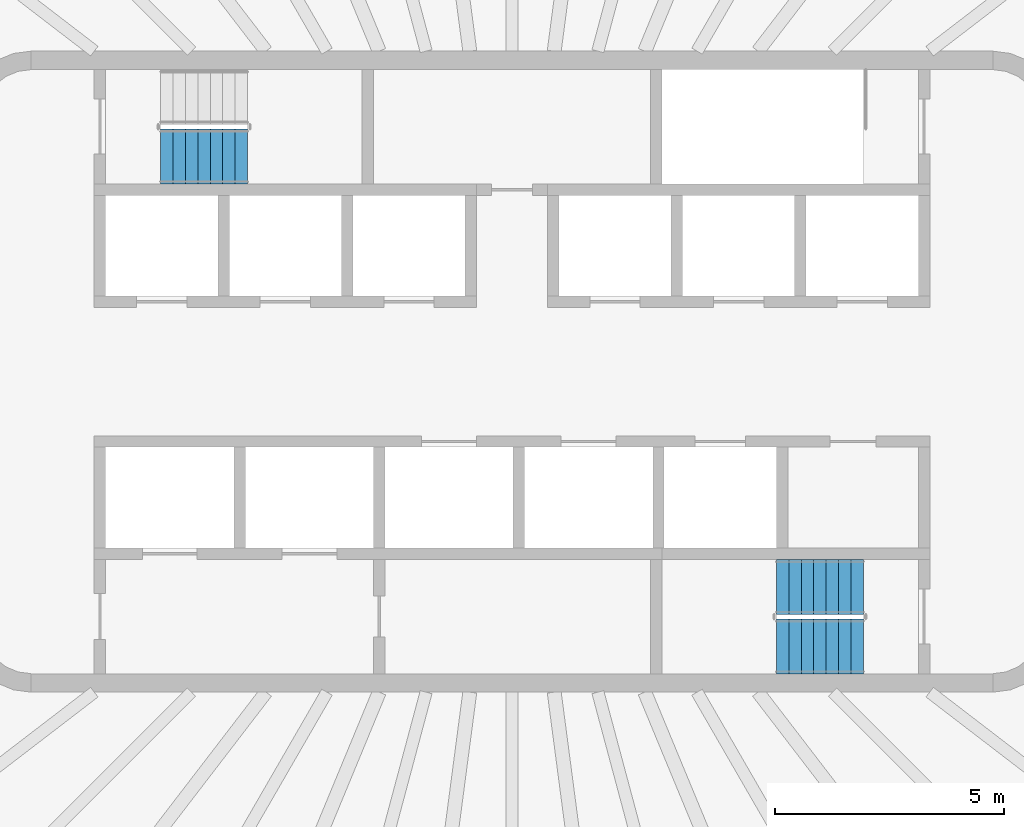
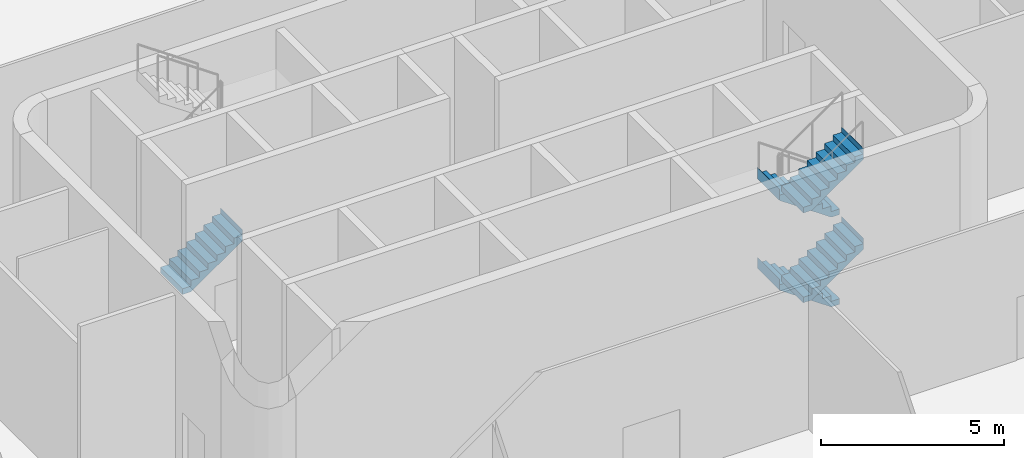
# One storey, part 9 of 14: 5 stair flights, 2 elements without a shape of their own.
"""IFC4 building model written with IfcOpenShell, lengths in metres."""

import ifcopenshell
import ifcopenshell.guid

model = None  # the IFC model being written
_history = None  # IfcOwnerHistory: only IFC2X3 demands one
_inside = {}  # id of a spatial element -> (the spatial element, [elements in it])
_under = {}  # id of a project, library or spatial element -> (it, [spatial elements below it])
_declared = {}  # id of a project -> (the project, [libraries it declares])
_typed = {}  # id of a type object -> (the type object, [elements of that type])
_made_of = {}  # id of a material, layer set ... -> (it, [elements and type objects made of it])


def new_model(schema):
    """Start an empty IFC model of exactly this schema.

    Asked for "IFC4X3", IfcOpenShell would pick the latest addendum, in which some entities
    have other attributes; the version numbers below select the first issue.
    IFC2X3 requires an IfcOwnerHistory on every rooted entity: one is made here for all.
    """
    global model, _history
    if schema == "IFC4X3":
        model = ifcopenshell.file(schema_version=(4, 3, 0, 0))
    else:
        model = ifcopenshell.file(schema=schema)
    _inside.clear()
    _under.clear()
    _declared.clear()
    _typed.clear()
    _made_of.clear()
    _history = None
    if model.schema == "IFC2X3":
        org = make("IfcOrganization", Name="unknown")
        user = make(
            "IfcPersonAndOrganization",
            ThePerson=make("IfcPerson", FamilyName="unknown"),
            TheOrganization=org,
        )
        app = make(
            "IfcApplication",
            ApplicationDeveloper=org,
            Version="unknown",
            ApplicationFullName="unknown",
            ApplicationIdentifier="unknown",
        )
        _history = make(
            "IfcOwnerHistory",
            OwningUser=user,
            OwningApplication=app,
            ChangeAction="ADDED",
            CreationDate=0,
        )
    return model


def make(cls, **values):
    """One entity of the class cls with the attributes given. An attribute that is None is left unset."""
    return model.create_entity(
        cls, **{name: value for name, value in values.items() if value is not None}
    )


def rooted(cls, **values):
    """An entity with a GlobalId (a new one), such as an element, a storey or a relation."""
    return make(cls, GlobalId=ifcopenshell.guid.new(), OwnerHistory=_history, **values)


def si_unit(unit_type, name, prefix=None):
    """IfcSIUnit, for example si_unit("LENGTHUNIT", "METRE", prefix="MILLI")."""
    return make("IfcSIUnit", UnitType=unit_type, Prefix=prefix, Name=name)


def assignment(units):
    """IfcUnitAssignment: the units of a project."""
    return None if units is None else make("IfcUnitAssignment", Units=units)


def point(xyz):
    """IfcCartesianPoint."""
    return None if xyz is None else make("IfcCartesianPoint", Coordinates=xyz)


def direction(xyz):
    """IfcDirection."""
    return None if xyz is None else make("IfcDirection", DirectionRatios=xyz)


def frame(location, z_axis=None, x_axis=None):
    """IfcAxis2Placement3D, a coordinate frame: its origin and axes. An axis left out is left unset."""
    return make(
        "IfcAxis2Placement3D",
        Location=point(location),
        Axis=direction(z_axis),
        RefDirection=direction(x_axis),
    )


def origin():
    """The frame at (0, 0, 0) with its axes left unset."""
    return frame((0.0, 0.0, 0.0))


def place(relative_to, where):
    """IfcLocalPlacement: puts the frame where relative to a parent placement (None: the world)."""
    return make(
        "IfcLocalPlacement", PlacementRelTo=relative_to, RelativePlacement=where
    )


def context(
    kind, dimensions, precision=None, world=None, true_north=None, identifier=None
):
    """IfcGeometricRepresentationContext, for example the 3D "Model" context."""
    return make(
        "IfcGeometricRepresentationContext",
        ContextIdentifier=identifier,
        ContextType=kind,
        CoordinateSpaceDimension=dimensions,
        Precision=precision,
        WorldCoordinateSystem=world,
        TrueNorth=true_north,
    )


def subcontext(parent, identifier, kind, view, scale=None):
    """IfcGeometricRepresentationSubContext, for example "Body" below "Model"."""
    return make(
        "IfcGeometricRepresentationSubContext",
        ContextIdentifier=identifier,
        ContextType=kind,
        ParentContext=parent,
        TargetScale=scale,
        TargetView=view,
    )


def project(units=None, contexts=None):
    """IfcProject with its units and contexts."""
    return rooted(
        "IfcProject",
        Name="project",
        RepresentationContexts=contexts,
        UnitsInContext=assignment(units),
    )


def spatial(cls, under=None, at=None, **own):
    """A site, building, storey or space (cls), placed at a placement, below another one or the project."""
    s = rooted(cls, ObjectPlacement=at, **own)
    if under is not None:
        _under.setdefault(under.id(), (under, []))[1].append(s)
    return s


def point_list(points):
    """IfcCartesianPointList2D or 3D."""
    cls = (
        "IfcCartesianPointList2D" if len(points[0]) == 2 else "IfcCartesianPointList3D"
    )
    return make(cls, CoordList=points)


def triangles(points, corners, closed=None, point_numbers=None):
    """IfcTriangulatedFaceSet: each triangle names its three corners, points numbered from 1."""
    return make(
        "IfcTriangulatedFaceSet",
        Coordinates=point_list(points),
        Closed=closed,
        CoordIndex=corners,
        PnIndex=point_numbers,
    )


def shape(context_of_items, identifier, shape_type, items):
    """IfcShapeRepresentation: the items that make up one representation, for example the "Body"."""
    return make(
        "IfcShapeRepresentation",
        ContextOfItems=context_of_items,
        RepresentationIdentifier=identifier,
        RepresentationType=shape_type,
        Items=items,
    )


def material(Name=None, Category=None):
    """IfcMaterial."""
    return make("IfcMaterial", Name=Name, Category=Category)


def made_of(thing, what):
    """Note that an element or type object is made of a material, layer set ...; save() writes the relation."""
    if what is not None:
        _made_of.setdefault(what.id(), (what, []))[1].append(thing)
    return thing


def type_object(cls, material=None, **own):
    """A type object (cls), such as IfcWallType, which elements share."""
    return made_of(rooted(cls, **own), material)


def element(
    cls,
    number,
    at=None,
    inside=None,
    cuts=None,
    type_object=None,
    material=None,
    context=None,
    identifier="Body",
    shape_type=None,
    held_by="IfcProductDefinitionShape",
    body=None,
    shapes=None,
    **own,
):
    """One element of the class cls, such as IfcWall. Its Tag is "e" and its number.

    at: its placement. inside: the storey or other place that contains it. cuts: it is an
    opening in that element (IfcRelVoidsElement). A single representation is given by context,
    identifier, shape_type and body (its items); several are given by shapes. held_by: the class
    of the entity that holds the representations. save() writes the other relations.
    """
    e = rooted(cls, Tag="e%d" % number, ObjectPlacement=at, **own)
    if body is not None:
        shapes = [shape(context, identifier, shape_type, body)]
    if shapes is not None:
        e.Representation = make(held_by, Representations=shapes)
    if inside is not None:
        _inside.setdefault(inside.id(), (inside, []))[1].append(e)
    if cuts is not None:
        rooted(
            "IfcRelVoidsElement", RelatingBuildingElement=cuts, RelatedOpeningElement=e
        )
    if type_object is not None:
        _typed.setdefault(type_object.id(), (type_object, []))[1].append(e)
    return made_of(e, material)


def aggregate(whole, parts):
    """IfcRelAggregates: a whole, such as a stair, and the parts it consists of."""
    return rooted("IfcRelAggregates", RelatingObject=whole, RelatedObjects=parts)


def save(model, path):
    """Write the relations noted so far, then the file.

    IfcRelAggregates (storeys below a building ...), IfcRelContainedInSpatialStructure (elements
    in a storey), IfcRelDefinesByType, IfcRelAssociatesMaterial and IfcRelDeclares: one each for
    every whole, place, type object, material and project.
    """
    for whole, parts in _under.values():
        aggregate(whole, parts)
    for where, things in _inside.values():
        rooted(
            "IfcRelContainedInSpatialStructure",
            RelatedElements=things,
            RelatingStructure=where,
        )
    for kind, things in _typed.values():
        rooted("IfcRelDefinesByType", RelatedObjects=things, RelatingType=kind)
    for what, things in _made_of.values():
        rooted("IfcRelAssociatesMaterial", RelatedObjects=things, RelatingMaterial=what)
    for by, libraries in _declared.values():
        rooted("IfcRelDeclares", RelatingContext=by, RelatedDefinitions=libraries)
    model.write(path)


model = new_model("IFC4")

# Units and contexts
model_context = context("Model", 3, precision=1e-05, world=origin(), true_north=direction((0.0, 1.0)))
body_context = subcontext(model_context, "Body", "Model", "MODEL_VIEW")
ifc_project = project(units=[si_unit("LENGTHUNIT", "METRE"), si_unit("AREAUNIT", "SQUARE_METRE"), si_unit("VOLUMEUNIT", "CUBIC_METRE"), si_unit("PLANEANGLEUNIT", "RADIAN"), si_unit("MASSUNIT", "GRAM", prefix="KILO")], contexts=[model_context])

# Site, building, storey
site_placement = place(None, origin())
site = spatial("IfcSite", under=ifc_project, at=site_placement, CompositionType="ELEMENT")
building_placement = place(site_placement, origin())
building = spatial("IfcBuilding", under=site, at=building_placement, Name="Sahrelin Media Tower", CompositionType="ELEMENT")
storey_placement = place(building_placement, frame((0.0, 0.0, 329.800048828125)))
storey = spatial("IfcBuildingStorey", under=building, at=storey_placement, Name="L73", CompositionType="ELEMENT", Elevation=329.800048828125)

# Stair, stair flight
ifc_material = material(Name="Concrete C40/50", Category="concrete")
stair_type = type_object("IfcStairType", Name="Exit stair 1200", PredefinedType="HALF_TURN_STAIR", material=ifc_material)
placement = place(storey_placement, origin())
stair_1 = element("IfcStair", 1, at=placement, inside=storey, type_object=stair_type, Name="L73 Exit stair ST1", PredefinedType="HALF_TURN_STAIR")
stair_flight_type = type_object("IfcStairFlightType", Name="Stair flight 1200", PredefinedType="STRAIGHT", material=ifc_material)
stair_flight_1_placement = place(storey_placement, frame((-7.675048828125, 4.699951171875, 0.0), z_axis=(0.0, 0.0, 1.0), x_axis=(1.0, 0.0, 0.0)))
stair_flight_1 = element("IfcStairFlight", 2, at=stair_flight_1_placement, type_object=stair_flight_type, Name="ST1 flight 1", NumberOfRisers=8, NumberOfTreads=7, PredefinedType="STRAIGHT", RiserHeight=0.1875, TreadLength=0.271428571, context=body_context, shape_type="Tessellation", body=[
    triangles([(0.263671875, 0.60009765625, 0.0), (0.263671875, 0.300048828125, 0.0), (0.263671875, 0.0, 0.0), (0.263671875, -0.300048828125, 0.0), (0.263671875, -0.60009765625, 0.0), (1.89990234375, 0.60009765625, 1.13037109375), (1.89990234375, 0.300048828125, 1.13037109375), (1.89990234375, 0.0, 1.13037109375), (1.89990234375, -0.300048828125, 1.13037109375), (1.89990234375, -0.60009765625, 1.13037109375), (1.89990234375, 0.60009765625, 1.5), (1.89990234375, 0.300048828125, 1.5), (1.89990234375, 0.0, 1.5), (1.89990234375, -0.300048828125, 1.5), (1.89990234375, -0.60009765625, 1.5), (1.89794921875, 0.60009765625, 1.5), (1.89794921875, 0.300048828125, 1.5), (1.89794921875, 0.0, 1.5), (1.89794921875, -0.300048828125, 1.5), (1.89794921875, -0.60009765625, 1.5), (1.89794921875, 0.60009765625, 1.3125), (1.89794921875, 0.300048828125, 1.3125), (1.89794921875, 0.0, 1.3125), (1.89794921875, -0.300048828125, 1.3125), (1.89794921875, -0.60009765625, 1.3125), (1.628662109375, 0.60009765625, 1.3125), (1.628662109375, 0.300048828125, 1.3125), (1.628662109375, 0.0, 1.3125), (1.628662109375, -0.300048828125, 1.3125), (1.628662109375, -0.60009765625, 1.3125), (1.628662109375, 0.60009765625, 1.125), (1.628662109375, 0.300048828125, 1.125), (1.628662109375, 0.0, 1.125), (1.628662109375, -0.300048828125, 1.125), (1.628662109375, -0.60009765625, 1.125), (1.357177734375, 0.60009765625, 1.125), (1.357177734375, 0.300048828125, 1.125), (1.357177734375, 0.0, 1.125), (1.357177734375, -0.300048828125, 1.125), (1.357177734375, -0.60009765625, 1.125), (1.357177734375, 0.60009765625, 0.9375), (1.357177734375, 0.300048828125, 0.9375), (1.357177734375, 0.0, 0.9375), (1.357177734375, -0.300048828125, 0.9375), (1.357177734375, -0.60009765625, 0.9375), (1.085693359375, 0.60009765625, 0.9375), (1.085693359375, 0.300048828125, 0.9375), (1.085693359375, 0.0, 0.9375), (1.085693359375, -0.300048828125, 0.9375), (1.085693359375, -0.60009765625, 0.9375), (1.085693359375, 0.60009765625, 0.75), (1.085693359375, 0.300048828125, 0.75), (1.085693359375, 0.0, 0.75), (1.085693359375, -0.300048828125, 0.75), (1.085693359375, -0.60009765625, 0.75), (0.814208984375, 0.60009765625, 0.75), (0.814208984375, 0.300048828125, 0.75), (0.814208984375, 0.0, 0.75), (0.814208984375, -0.300048828125, 0.75), (0.814208984375, -0.60009765625, 0.75), (0.814208984375, 0.60009765625, 0.5625), (0.814208984375, 0.300048828125, 0.5625), (0.814208984375, 0.0, 0.5625), (0.814208984375, -0.300048828125, 0.5625), (0.814208984375, -0.60009765625, 0.5625), (0.54296875, 0.60009765625, 0.5625), (0.54296875, 0.300048828125, 0.5625), (0.54296875, 0.0, 0.5625), (0.54296875, -0.300048828125, 0.5625), (0.54296875, -0.60009765625, 0.5625), (0.54296875, 0.60009765625, 0.375), (0.54296875, 0.300048828125, 0.375), (0.54296875, 0.0, 0.375), (0.54296875, -0.300048828125, 0.375), (0.54296875, -0.60009765625, 0.375), (0.271484375, 0.60009765625, 0.375), (0.271484375, 0.300048828125, 0.375), (0.271484375, 0.0, 0.375), (0.271484375, -0.300048828125, 0.375), (0.271484375, -0.60009765625, 0.375), (0.271484375, 0.60009765625, 0.1875), (0.271484375, 0.300048828125, 0.1875), (0.271484375, 0.0, 0.1875), (0.271484375, -0.300048828125, 0.1875), (0.271484375, -0.60009765625, 0.1875), (0.0, 0.60009765625, 0.1875), (0.0, 0.300048828125, 0.1875), (0.0, 0.0, 0.1875), (0.0, -0.300048828125, 0.1875), (0.0, -0.60009765625, 0.1875), (0.0, 0.60009765625, 0.0), (0.0, 0.300048828125, 0.0), (0.0, 0.0, 0.0), (0.0, -0.300048828125, 0.0), (0.0, -0.60009765625, 0.0)], [[1, 6, 7], [1, 7, 2], [2, 7, 8], [2, 8, 3], [3, 8, 9], [3, 9, 4], [4, 9, 10], [4, 10, 5], [6, 11, 12], [6, 12, 7], [7, 12, 13], [7, 13, 8], [8, 13, 14], [8, 14, 9], [9, 14, 15], [9, 15, 10], [11, 16, 17], [11, 17, 12], [12, 17, 18], [12, 18, 13], [13, 18, 19], [13, 19, 14], [14, 19, 20], [14, 20, 15], [16, 21, 22], [16, 22, 17], [17, 22, 23], [17, 23, 18], [18, 23, 24], [18, 24, 19], [19, 24, 25], [19, 25, 20], [21, 26, 27], [21, 27, 22], [22, 27, 28], [22, 28, 23], [23, 28, 29], [23, 29, 24], [24, 29, 30], [24, 30, 25], [26, 31, 32], [26, 32, 27], [27, 32, 33], [27, 33, 28], [28, 33, 34], [28, 34, 29], [29, 34, 35], [29, 35, 30], [31, 36, 37], [31, 37, 32], [32, 37, 38], [32, 38, 33], [33, 38, 39], [33, 39, 34], [34, 39, 40], [34, 40, 35], [36, 41, 42], [36, 42, 37], [37, 42, 43], [37, 43, 38], [38, 43, 44], [38, 44, 39], [39, 44, 45], [39, 45, 40], [41, 46, 47], [41, 47, 42], [42, 47, 48], [42, 48, 43], [43, 48, 49], [43, 49, 44], [44, 49, 50], [44, 50, 45], [46, 51, 52], [46, 52, 47], [47, 52, 53], [47, 53, 48], [48, 53, 54], [48, 54, 49], [49, 54, 55], [49, 55, 50], [51, 56, 57], [51, 57, 52], [52, 57, 58], [52, 58, 53], [53, 58, 59], [53, 59, 54], [54, 59, 60], [54, 60, 55], [56, 61, 62], [56, 62, 57], [57, 62, 63], [57, 63, 58], [58, 63, 64], [58, 64, 59], [59, 64, 65], [59, 65, 60], [61, 66, 67], [61, 67, 62], [62, 67, 68], [62, 68, 63], [63, 68, 69], [63, 69, 64], [64, 69, 70], [64, 70, 65], [66, 71, 72], [66, 72, 67], [67, 72, 73], [67, 73, 68], [68, 73, 74], [68, 74, 69], [69, 74, 75], [69, 75, 70], [71, 76, 77], [71, 77, 72], [72, 77, 78], [72, 78, 73], [73, 78, 79], [73, 79, 74], [74, 79, 80], [74, 80, 75], [76, 81, 82], [76, 82, 77], [77, 82, 83], [77, 83, 78], [78, 83, 84], [78, 84, 79], [79, 84, 85], [79, 85, 80], [81, 86, 87], [81, 87, 82], [82, 87, 88], [82, 88, 83], [83, 88, 89], [83, 89, 84], [84, 89, 90], [84, 90, 85], [86, 91, 92], [86, 92, 87], [87, 92, 93], [87, 93, 88], [88, 93, 94], [88, 94, 89], [89, 94, 95], [89, 95, 90], [91, 1, 2], [91, 2, 92], [92, 2, 3], [92, 3, 93], [93, 3, 4], [93, 4, 94], [94, 4, 5], [94, 5, 95], [5, 90, 95], [1, 91, 86], [85, 75, 80], [81, 76, 71], [75, 65, 70], [71, 66, 61], [65, 55, 60], [61, 56, 51], [55, 45, 50], [51, 46, 41], [45, 35, 40], [41, 36, 31], [10, 25, 30], [6, 26, 21], [25, 15, 20], [21, 16, 11], [5, 85, 90], [1, 86, 81], [55, 65, 5], [51, 1, 61], [10, 35, 45], [6, 41, 31], [25, 10, 15], [21, 11, 6], [75, 85, 5], [71, 1, 81], [45, 55, 10], [41, 6, 51], [30, 35, 10], [26, 6, 31], [65, 75, 5], [61, 1, 71], [5, 10, 55], [1, 51, 6]], closed=True),
])
aggregate(stair_1, [stair_flight_1])

# Stair, stair flights
stair_2 = element("IfcStair", 3, at=placement, inside=storey, type_object=stair_type, Name="L73 Exit stair ST2", PredefinedType="HALF_TURN_STAIR")
stair_flight_2_placement = place(storey_placement, frame((7.675048828125, -4.699951171875, 0.0), z_axis=(0.0, 0.0, 1.0), x_axis=(-1.0, 0.0, 0.0)))
stair_flight_2 = element("IfcStairFlight", 4, at=stair_flight_2_placement, type_object=stair_flight_type, Name="ST2 flight 1", NumberOfRisers=8, NumberOfTreads=7, PredefinedType="STRAIGHT", RiserHeight=0.1875, TreadLength=0.271428571, context=body_context, shape_type="Tessellation", body=[
    triangles([(0.263671875, 0.60009765625, 0.0), (0.263671875, 0.300048828125, 0.0), (0.263671875, 0.0, 0.0), (0.263671875, -0.300048828125, 0.0), (0.263671875, -0.60009765625, 0.0), (1.89990234375, 0.60009765625, 1.13037109375), (1.89990234375, 0.300048828125, 1.13037109375), (1.89990234375, 0.0, 1.13037109375), (1.89990234375, -0.300048828125, 1.13037109375), (1.89990234375, -0.60009765625, 1.13037109375), (1.89990234375, 0.60009765625, 1.5), (1.89990234375, 0.300048828125, 1.5), (1.89990234375, 0.0, 1.5), (1.89990234375, -0.300048828125, 1.5), (1.89990234375, -0.60009765625, 1.5), (1.89794921875, 0.60009765625, 1.5), (1.89794921875, 0.300048828125, 1.5), (1.89794921875, 0.0, 1.5), (1.89794921875, -0.300048828125, 1.5), (1.89794921875, -0.60009765625, 1.5), (1.89794921875, 0.60009765625, 1.3125), (1.89794921875, 0.300048828125, 1.3125), (1.89794921875, 0.0, 1.3125), (1.89794921875, -0.300048828125, 1.3125), (1.89794921875, -0.60009765625, 1.3125), (1.628662109375, 0.60009765625, 1.3125), (1.628662109375, 0.300048828125, 1.3125), (1.628662109375, 0.0, 1.3125), (1.628662109375, -0.300048828125, 1.3125), (1.628662109375, -0.60009765625, 1.3125), (1.628662109375, 0.60009765625, 1.125), (1.628662109375, 0.300048828125, 1.125), (1.628662109375, 0.0, 1.125), (1.628662109375, -0.300048828125, 1.125), (1.628662109375, -0.60009765625, 1.125), (1.357177734375, 0.60009765625, 1.125), (1.357177734375, 0.300048828125, 1.125), (1.357177734375, 0.0, 1.125), (1.357177734375, -0.300048828125, 1.125), (1.357177734375, -0.60009765625, 1.125), (1.357177734375, 0.60009765625, 0.9375), (1.357177734375, 0.300048828125, 0.9375), (1.357177734375, 0.0, 0.9375), (1.357177734375, -0.300048828125, 0.9375), (1.357177734375, -0.60009765625, 0.9375), (1.085693359375, 0.60009765625, 0.9375), (1.085693359375, 0.300048828125, 0.9375), (1.085693359375, 0.0, 0.9375), (1.085693359375, -0.300048828125, 0.9375), (1.085693359375, -0.60009765625, 0.9375), (1.085693359375, 0.60009765625, 0.75), (1.085693359375, 0.300048828125, 0.75), (1.085693359375, 0.0, 0.75), (1.085693359375, -0.300048828125, 0.75), (1.085693359375, -0.60009765625, 0.75), (0.814208984375, 0.60009765625, 0.75), (0.814208984375, 0.300048828125, 0.75), (0.814208984375, 0.0, 0.75), (0.814208984375, -0.300048828125, 0.75), (0.814208984375, -0.60009765625, 0.75), (0.814208984375, 0.60009765625, 0.5625), (0.814208984375, 0.300048828125, 0.5625), (0.814208984375, 0.0, 0.5625), (0.814208984375, -0.300048828125, 0.5625), (0.814208984375, -0.60009765625, 0.5625), (0.54296875, 0.60009765625, 0.5625), (0.54296875, 0.300048828125, 0.5625), (0.54296875, 0.0, 0.5625), (0.54296875, -0.300048828125, 0.5625), (0.54296875, -0.60009765625, 0.5625), (0.54296875, 0.60009765625, 0.375), (0.54296875, 0.300048828125, 0.375), (0.54296875, 0.0, 0.375), (0.54296875, -0.300048828125, 0.375), (0.54296875, -0.60009765625, 0.375), (0.271484375, 0.60009765625, 0.375), (0.271484375, 0.300048828125, 0.375), (0.271484375, 0.0, 0.375), (0.271484375, -0.300048828125, 0.375), (0.271484375, -0.60009765625, 0.375), (0.271484375, 0.60009765625, 0.1875), (0.271484375, 0.300048828125, 0.1875), (0.271484375, 0.0, 0.1875), (0.271484375, -0.300048828125, 0.1875), (0.271484375, -0.60009765625, 0.1875), (0.0, 0.60009765625, 0.1875), (0.0, 0.300048828125, 0.1875), (0.0, 0.0, 0.1875), (0.0, -0.300048828125, 0.1875), (0.0, -0.60009765625, 0.1875), (0.0, 0.60009765625, 0.0), (0.0, 0.300048828125, 0.0), (0.0, 0.0, 0.0), (0.0, -0.300048828125, 0.0), (0.0, -0.60009765625, 0.0)], [[1, 6, 7], [1, 7, 2], [2, 7, 8], [2, 8, 3], [3, 8, 9], [3, 9, 4], [4, 9, 10], [4, 10, 5], [6, 11, 12], [6, 12, 7], [7, 12, 13], [7, 13, 8], [8, 13, 14], [8, 14, 9], [9, 14, 15], [9, 15, 10], [11, 16, 17], [11, 17, 12], [12, 17, 18], [12, 18, 13], [13, 18, 19], [13, 19, 14], [14, 19, 20], [14, 20, 15], [16, 21, 22], [16, 22, 17], [17, 22, 23], [17, 23, 18], [18, 23, 24], [18, 24, 19], [19, 24, 25], [19, 25, 20], [21, 26, 27], [21, 27, 22], [22, 27, 28], [22, 28, 23], [23, 28, 29], [23, 29, 24], [24, 29, 30], [24, 30, 25], [26, 31, 32], [26, 32, 27], [27, 32, 33], [27, 33, 28], [28, 33, 34], [28, 34, 29], [29, 34, 35], [29, 35, 30], [31, 36, 37], [31, 37, 32], [32, 37, 38], [32, 38, 33], [33, 38, 39], [33, 39, 34], [34, 39, 40], [34, 40, 35], [36, 41, 42], [36, 42, 37], [37, 42, 43], [37, 43, 38], [38, 43, 44], [38, 44, 39], [39, 44, 45], [39, 45, 40], [41, 46, 47], [41, 47, 42], [42, 47, 48], [42, 48, 43], [43, 48, 49], [43, 49, 44], [44, 49, 50], [44, 50, 45], [46, 51, 52], [46, 52, 47], [47, 52, 53], [47, 53, 48], [48, 53, 54], [48, 54, 49], [49, 54, 55], [49, 55, 50], [51, 56, 57], [51, 57, 52], [52, 57, 58], [52, 58, 53], [53, 58, 59], [53, 59, 54], [54, 59, 60], [54, 60, 55], [56, 61, 62], [56, 62, 57], [57, 62, 63], [57, 63, 58], [58, 63, 64], [58, 64, 59], [59, 64, 65], [59, 65, 60], [61, 66, 67], [61, 67, 62], [62, 67, 68], [62, 68, 63], [63, 68, 69], [63, 69, 64], [64, 69, 70], [64, 70, 65], [66, 71, 72], [66, 72, 67], [67, 72, 73], [67, 73, 68], [68, 73, 74], [68, 74, 69], [69, 74, 75], [69, 75, 70], [71, 76, 77], [71, 77, 72], [72, 77, 78], [72, 78, 73], [73, 78, 79], [73, 79, 74], [74, 79, 80], [74, 80, 75], [76, 81, 82], [76, 82, 77], [77, 82, 83], [77, 83, 78], [78, 83, 84], [78, 84, 79], [79, 84, 85], [79, 85, 80], [81, 86, 87], [81, 87, 82], [82, 87, 88], [82, 88, 83], [83, 88, 89], [83, 89, 84], [84, 89, 90], [84, 90, 85], [86, 91, 92], [86, 92, 87], [87, 92, 93], [87, 93, 88], [88, 93, 94], [88, 94, 89], [89, 94, 95], [89, 95, 90], [91, 1, 2], [91, 2, 92], [92, 2, 3], [92, 3, 93], [93, 3, 4], [93, 4, 94], [94, 4, 5], [94, 5, 95], [5, 90, 95], [1, 91, 86], [85, 75, 80], [81, 76, 71], [75, 65, 70], [71, 66, 61], [65, 55, 60], [61, 56, 51], [55, 45, 50], [51, 46, 41], [45, 35, 40], [41, 36, 31], [10, 25, 30], [6, 26, 21], [25, 15, 20], [21, 16, 11], [5, 85, 90], [1, 86, 81], [55, 65, 5], [51, 1, 61], [10, 35, 45], [6, 41, 31], [25, 10, 15], [21, 11, 6], [75, 85, 5], [71, 1, 81], [45, 55, 10], [41, 6, 51], [30, 35, 10], [26, 6, 31], [65, 75, 5], [61, 1, 71], [5, 10, 55], [1, 51, 6]], closed=True),
])
stair_flight_3_placement = place(storey_placement, frame((5.77490234375, -6.0, 1.5), z_axis=(0.0, 0.0, 1.0), x_axis=(1.0, 0.0, 0.0)))
stair_flight_3 = element("IfcStairFlight", 5, at=stair_flight_3_placement, type_object=stair_flight_type, Name="ST2 flight 2", NumberOfRisers=8, NumberOfTreads=7, PredefinedType="STRAIGHT", RiserHeight=0.1875, TreadLength=0.271428571, context=body_context, shape_type="Tessellation", body=[
    triangles([(0.263671875, 0.60009765625, 0.0), (0.263671875, 0.300048828125, 0.0), (0.263671875, 0.0, 0.0), (0.263671875, -0.300048828125, 0.0), (0.263671875, -0.60009765625, 0.0), (1.89990234375, 0.60009765625, 1.13037109375), (1.89990234375, 0.300048828125, 1.13037109375), (1.89990234375, 0.0, 1.13037109375), (1.89990234375, -0.300048828125, 1.13037109375), (1.89990234375, -0.60009765625, 1.13037109375), (1.89990234375, 0.60009765625, 1.5), (1.89990234375, 0.300048828125, 1.5), (1.89990234375, 0.0, 1.5), (1.89990234375, -0.300048828125, 1.5), (1.89990234375, -0.60009765625, 1.5), (1.89794921875, 0.60009765625, 1.5), (1.89794921875, 0.300048828125, 1.5), (1.89794921875, 0.0, 1.5), (1.89794921875, -0.300048828125, 1.5), (1.89794921875, -0.60009765625, 1.5), (1.89794921875, 0.60009765625, 1.3125), (1.89794921875, 0.300048828125, 1.3125), (1.89794921875, 0.0, 1.3125), (1.89794921875, -0.300048828125, 1.3125), (1.89794921875, -0.60009765625, 1.3125), (1.628662109375, 0.60009765625, 1.3125), (1.628662109375, 0.300048828125, 1.3125), (1.628662109375, 0.0, 1.3125), (1.628662109375, -0.300048828125, 1.3125), (1.628662109375, -0.60009765625, 1.3125), (1.628662109375, 0.60009765625, 1.125), (1.628662109375, 0.300048828125, 1.125), (1.628662109375, 0.0, 1.125), (1.628662109375, -0.300048828125, 1.125), (1.628662109375, -0.60009765625, 1.125), (1.357177734375, 0.60009765625, 1.125), (1.357177734375, 0.300048828125, 1.125), (1.357177734375, 0.0, 1.125), (1.357177734375, -0.300048828125, 1.125), (1.357177734375, -0.60009765625, 1.125), (1.357177734375, 0.60009765625, 0.9375), (1.357177734375, 0.300048828125, 0.9375), (1.357177734375, 0.0, 0.9375), (1.357177734375, -0.300048828125, 0.9375), (1.357177734375, -0.60009765625, 0.9375), (1.085693359375, 0.60009765625, 0.9375), (1.085693359375, 0.300048828125, 0.9375), (1.085693359375, 0.0, 0.9375), (1.085693359375, -0.300048828125, 0.9375), (1.085693359375, -0.60009765625, 0.9375), (1.085693359375, 0.60009765625, 0.75), (1.085693359375, 0.300048828125, 0.75), (1.085693359375, 0.0, 0.75), (1.085693359375, -0.300048828125, 0.75), (1.085693359375, -0.60009765625, 0.75), (0.814208984375, 0.60009765625, 0.75), (0.814208984375, 0.300048828125, 0.75), (0.814208984375, 0.0, 0.75), (0.814208984375, -0.300048828125, 0.75), (0.814208984375, -0.60009765625, 0.75), (0.814208984375, 0.60009765625, 0.5625), (0.814208984375, 0.300048828125, 0.5625), (0.814208984375, 0.0, 0.5625), (0.814208984375, -0.300048828125, 0.5625), (0.814208984375, -0.60009765625, 0.5625), (0.54296875, 0.60009765625, 0.5625), (0.54296875, 0.300048828125, 0.5625), (0.54296875, 0.0, 0.5625), (0.54296875, -0.300048828125, 0.5625), (0.54296875, -0.60009765625, 0.5625), (0.54296875, 0.60009765625, 0.375), (0.54296875, 0.300048828125, 0.375), (0.54296875, 0.0, 0.375), (0.54296875, -0.300048828125, 0.375), (0.54296875, -0.60009765625, 0.375), (0.271484375, 0.60009765625, 0.375), (0.271484375, 0.300048828125, 0.375), (0.271484375, 0.0, 0.375), (0.271484375, -0.300048828125, 0.375), (0.271484375, -0.60009765625, 0.375), (0.271484375, 0.60009765625, 0.1875), (0.271484375, 0.300048828125, 0.1875), (0.271484375, 0.0, 0.1875), (0.271484375, -0.300048828125, 0.1875), (0.271484375, -0.60009765625, 0.1875), (0.0, 0.60009765625, 0.1875), (0.0, 0.300048828125, 0.1875), (0.0, 0.0, 0.1875), (0.0, -0.300048828125, 0.1875), (0.0, -0.60009765625, 0.1875), (0.0, 0.60009765625, 0.0), (0.0, 0.300048828125, 0.0), (0.0, 0.0, 0.0), (0.0, -0.300048828125, 0.0), (0.0, -0.60009765625, 0.0)], [[1, 6, 7], [1, 7, 2], [2, 7, 8], [2, 8, 3], [3, 8, 9], [3, 9, 4], [4, 9, 10], [4, 10, 5], [6, 11, 12], [6, 12, 7], [7, 12, 13], [7, 13, 8], [8, 13, 14], [8, 14, 9], [9, 14, 15], [9, 15, 10], [11, 16, 17], [11, 17, 12], [12, 17, 18], [12, 18, 13], [13, 18, 19], [13, 19, 14], [14, 19, 20], [14, 20, 15], [16, 21, 22], [16, 22, 17], [17, 22, 23], [17, 23, 18], [18, 23, 24], [18, 24, 19], [19, 24, 25], [19, 25, 20], [21, 26, 27], [21, 27, 22], [22, 27, 28], [22, 28, 23], [23, 28, 29], [23, 29, 24], [24, 29, 30], [24, 30, 25], [26, 31, 32], [26, 32, 27], [27, 32, 33], [27, 33, 28], [28, 33, 34], [28, 34, 29], [29, 34, 35], [29, 35, 30], [31, 36, 37], [31, 37, 32], [32, 37, 38], [32, 38, 33], [33, 38, 39], [33, 39, 34], [34, 39, 40], [34, 40, 35], [36, 41, 42], [36, 42, 37], [37, 42, 43], [37, 43, 38], [38, 43, 44], [38, 44, 39], [39, 44, 45], [39, 45, 40], [41, 46, 47], [41, 47, 42], [42, 47, 48], [42, 48, 43], [43, 48, 49], [43, 49, 44], [44, 49, 50], [44, 50, 45], [46, 51, 52], [46, 52, 47], [47, 52, 53], [47, 53, 48], [48, 53, 54], [48, 54, 49], [49, 54, 55], [49, 55, 50], [51, 56, 57], [51, 57, 52], [52, 57, 58], [52, 58, 53], [53, 58, 59], [53, 59, 54], [54, 59, 60], [54, 60, 55], [56, 61, 62], [56, 62, 57], [57, 62, 63], [57, 63, 58], [58, 63, 64], [58, 64, 59], [59, 64, 65], [59, 65, 60], [61, 66, 67], [61, 67, 62], [62, 67, 68], [62, 68, 63], [63, 68, 69], [63, 69, 64], [64, 69, 70], [64, 70, 65], [66, 71, 72], [66, 72, 67], [67, 72, 73], [67, 73, 68], [68, 73, 74], [68, 74, 69], [69, 74, 75], [69, 75, 70], [71, 76, 77], [71, 77, 72], [72, 77, 78], [72, 78, 73], [73, 78, 79], [73, 79, 74], [74, 79, 80], [74, 80, 75], [76, 81, 82], [76, 82, 77], [77, 82, 83], [77, 83, 78], [78, 83, 84], [78, 84, 79], [79, 84, 85], [79, 85, 80], [81, 86, 87], [81, 87, 82], [82, 87, 88], [82, 88, 83], [83, 88, 89], [83, 89, 84], [84, 89, 90], [84, 90, 85], [86, 91, 92], [86, 92, 87], [87, 92, 93], [87, 93, 88], [88, 93, 94], [88, 94, 89], [89, 94, 95], [89, 95, 90], [91, 1, 2], [91, 2, 92], [92, 2, 3], [92, 3, 93], [93, 3, 4], [93, 4, 94], [94, 4, 5], [94, 5, 95], [5, 90, 95], [1, 91, 86], [85, 75, 80], [81, 76, 71], [75, 65, 70], [71, 66, 61], [65, 55, 60], [61, 56, 51], [55, 45, 50], [51, 46, 41], [45, 35, 40], [41, 36, 31], [10, 25, 30], [6, 26, 21], [25, 15, 20], [21, 16, 11], [5, 85, 90], [1, 86, 81], [55, 65, 5], [51, 1, 61], [10, 35, 45], [6, 41, 31], [25, 10, 15], [21, 11, 6], [75, 85, 5], [71, 1, 81], [45, 55, 10], [41, 6, 51], [30, 35, 10], [26, 6, 31], [65, 75, 5], [61, 1, 71], [5, 10, 55], [1, 51, 6]], closed=True),
])
stair_flight_4_placement = place(storey_placement, frame((7.675048828125, -4.699951171875, 3.0), z_axis=(0.0, 0.0, 1.0), x_axis=(-1.0, 0.0, 0.0)))
stair_flight_4 = element("IfcStairFlight", 6, at=stair_flight_4_placement, type_object=stair_flight_type, Name="ST2 flight 3", NumberOfRisers=8, NumberOfTreads=7, PredefinedType="STRAIGHT", RiserHeight=0.1875, TreadLength=0.271428571, context=body_context, shape_type="Tessellation", body=[
    triangles([(0.263671875, 0.60009765625, 0.0), (0.263671875, 0.300048828125, 0.0), (0.263671875, 0.0, 0.0), (0.263671875, -0.300048828125, 0.0), (0.263671875, -0.60009765625, 0.0), (1.89990234375, 0.60009765625, 1.13037109375), (1.89990234375, 0.300048828125, 1.13037109375), (1.89990234375, 0.0, 1.13037109375), (1.89990234375, -0.300048828125, 1.13037109375), (1.89990234375, -0.60009765625, 1.13037109375), (1.89990234375, 0.60009765625, 1.5), (1.89990234375, 0.300048828125, 1.5), (1.89990234375, 0.0, 1.5), (1.89990234375, -0.300048828125, 1.5), (1.89990234375, -0.60009765625, 1.5), (1.89794921875, 0.60009765625, 1.5), (1.89794921875, 0.300048828125, 1.5), (1.89794921875, 0.0, 1.5), (1.89794921875, -0.300048828125, 1.5), (1.89794921875, -0.60009765625, 1.5), (1.89794921875, 0.60009765625, 1.3125), (1.89794921875, 0.300048828125, 1.3125), (1.89794921875, 0.0, 1.3125), (1.89794921875, -0.300048828125, 1.3125), (1.89794921875, -0.60009765625, 1.3125), (1.628662109375, 0.60009765625, 1.3125), (1.628662109375, 0.300048828125, 1.3125), (1.628662109375, 0.0, 1.3125), (1.628662109375, -0.300048828125, 1.3125), (1.628662109375, -0.60009765625, 1.3125), (1.628662109375, 0.60009765625, 1.125), (1.628662109375, 0.300048828125, 1.125), (1.628662109375, 0.0, 1.125), (1.628662109375, -0.300048828125, 1.125), (1.628662109375, -0.60009765625, 1.125), (1.357177734375, 0.60009765625, 1.125), (1.357177734375, 0.300048828125, 1.125), (1.357177734375, 0.0, 1.125), (1.357177734375, -0.300048828125, 1.125), (1.357177734375, -0.60009765625, 1.125), (1.357177734375, 0.60009765625, 0.9375), (1.357177734375, 0.300048828125, 0.9375), (1.357177734375, 0.0, 0.9375), (1.357177734375, -0.300048828125, 0.9375), (1.357177734375, -0.60009765625, 0.9375), (1.085693359375, 0.60009765625, 0.9375), (1.085693359375, 0.300048828125, 0.9375), (1.085693359375, 0.0, 0.9375), (1.085693359375, -0.300048828125, 0.9375), (1.085693359375, -0.60009765625, 0.9375), (1.085693359375, 0.60009765625, 0.75), (1.085693359375, 0.300048828125, 0.75), (1.085693359375, 0.0, 0.75), (1.085693359375, -0.300048828125, 0.75), (1.085693359375, -0.60009765625, 0.75), (0.814208984375, 0.60009765625, 0.75), (0.814208984375, 0.300048828125, 0.75), (0.814208984375, 0.0, 0.75), (0.814208984375, -0.300048828125, 0.75), (0.814208984375, -0.60009765625, 0.75), (0.814208984375, 0.60009765625, 0.5625), (0.814208984375, 0.300048828125, 0.5625), (0.814208984375, 0.0, 0.5625), (0.814208984375, -0.300048828125, 0.5625), (0.814208984375, -0.60009765625, 0.5625), (0.54296875, 0.60009765625, 0.5625), (0.54296875, 0.300048828125, 0.5625), (0.54296875, 0.0, 0.5625), (0.54296875, -0.300048828125, 0.5625), (0.54296875, -0.60009765625, 0.5625), (0.54296875, 0.60009765625, 0.375), (0.54296875, 0.300048828125, 0.375), (0.54296875, 0.0, 0.375), (0.54296875, -0.300048828125, 0.375), (0.54296875, -0.60009765625, 0.375), (0.271484375, 0.60009765625, 0.375), (0.271484375, 0.300048828125, 0.375), (0.271484375, 0.0, 0.375), (0.271484375, -0.300048828125, 0.375), (0.271484375, -0.60009765625, 0.375), (0.271484375, 0.60009765625, 0.1875), (0.271484375, 0.300048828125, 0.1875), (0.271484375, 0.0, 0.1875), (0.271484375, -0.300048828125, 0.1875), (0.271484375, -0.60009765625, 0.1875), (0.0, 0.60009765625, 0.1875), (0.0, 0.300048828125, 0.1875), (0.0, 0.0, 0.1875), (0.0, -0.300048828125, 0.1875), (0.0, -0.60009765625, 0.1875), (0.0, 0.60009765625, 0.0), (0.0, 0.300048828125, 0.0), (0.0, 0.0, 0.0), (0.0, -0.300048828125, 0.0), (0.0, -0.60009765625, 0.0)], [[1, 6, 7], [1, 7, 2], [2, 7, 8], [2, 8, 3], [3, 8, 9], [3, 9, 4], [4, 9, 10], [4, 10, 5], [6, 11, 12], [6, 12, 7], [7, 12, 13], [7, 13, 8], [8, 13, 14], [8, 14, 9], [9, 14, 15], [9, 15, 10], [11, 16, 17], [11, 17, 12], [12, 17, 18], [12, 18, 13], [13, 18, 19], [13, 19, 14], [14, 19, 20], [14, 20, 15], [16, 21, 22], [16, 22, 17], [17, 22, 23], [17, 23, 18], [18, 23, 24], [18, 24, 19], [19, 24, 25], [19, 25, 20], [21, 26, 27], [21, 27, 22], [22, 27, 28], [22, 28, 23], [23, 28, 29], [23, 29, 24], [24, 29, 30], [24, 30, 25], [26, 31, 32], [26, 32, 27], [27, 32, 33], [27, 33, 28], [28, 33, 34], [28, 34, 29], [29, 34, 35], [29, 35, 30], [31, 36, 37], [31, 37, 32], [32, 37, 38], [32, 38, 33], [33, 38, 39], [33, 39, 34], [34, 39, 40], [34, 40, 35], [36, 41, 42], [36, 42, 37], [37, 42, 43], [37, 43, 38], [38, 43, 44], [38, 44, 39], [39, 44, 45], [39, 45, 40], [41, 46, 47], [41, 47, 42], [42, 47, 48], [42, 48, 43], [43, 48, 49], [43, 49, 44], [44, 49, 50], [44, 50, 45], [46, 51, 52], [46, 52, 47], [47, 52, 53], [47, 53, 48], [48, 53, 54], [48, 54, 49], [49, 54, 55], [49, 55, 50], [51, 56, 57], [51, 57, 52], [52, 57, 58], [52, 58, 53], [53, 58, 59], [53, 59, 54], [54, 59, 60], [54, 60, 55], [56, 61, 62], [56, 62, 57], [57, 62, 63], [57, 63, 58], [58, 63, 64], [58, 64, 59], [59, 64, 65], [59, 65, 60], [61, 66, 67], [61, 67, 62], [62, 67, 68], [62, 68, 63], [63, 68, 69], [63, 69, 64], [64, 69, 70], [64, 70, 65], [66, 71, 72], [66, 72, 67], [67, 72, 73], [67, 73, 68], [68, 73, 74], [68, 74, 69], [69, 74, 75], [69, 75, 70], [71, 76, 77], [71, 77, 72], [72, 77, 78], [72, 78, 73], [73, 78, 79], [73, 79, 74], [74, 79, 80], [74, 80, 75], [76, 81, 82], [76, 82, 77], [77, 82, 83], [77, 83, 78], [78, 83, 84], [78, 84, 79], [79, 84, 85], [79, 85, 80], [81, 86, 87], [81, 87, 82], [82, 87, 88], [82, 88, 83], [83, 88, 89], [83, 89, 84], [84, 89, 90], [84, 90, 85], [86, 91, 92], [86, 92, 87], [87, 92, 93], [87, 93, 88], [88, 93, 94], [88, 94, 89], [89, 94, 95], [89, 95, 90], [91, 1, 2], [91, 2, 92], [92, 2, 3], [92, 3, 93], [93, 3, 4], [93, 4, 94], [94, 4, 5], [94, 5, 95], [5, 90, 95], [1, 91, 86], [85, 75, 80], [81, 76, 71], [75, 65, 70], [71, 66, 61], [65, 55, 60], [61, 56, 51], [55, 45, 50], [51, 46, 41], [45, 35, 40], [41, 36, 31], [10, 25, 30], [6, 26, 21], [25, 15, 20], [21, 16, 11], [5, 85, 90], [1, 86, 81], [55, 65, 5], [51, 1, 61], [10, 35, 45], [6, 41, 31], [25, 10, 15], [21, 11, 6], [75, 85, 5], [71, 1, 81], [45, 55, 10], [41, 6, 51], [30, 35, 10], [26, 6, 31], [65, 75, 5], [61, 1, 71], [5, 10, 55], [1, 51, 6]], closed=True),
])
stair_flight_5_placement = place(storey_placement, frame((5.77490234375, -6.0, 4.5), z_axis=(0.0, 0.0, 1.0), x_axis=(1.0, 0.0, 0.0)))
stair_flight_5 = element("IfcStairFlight", 7, at=stair_flight_5_placement, type_object=stair_flight_type, Name="ST2 flight 4", NumberOfRisers=8, NumberOfTreads=7, PredefinedType="STRAIGHT", RiserHeight=0.1875, TreadLength=0.271428571, context=body_context, shape_type="Tessellation", body=[
    triangles([(0.263671875, 0.60009765625, 0.0), (0.263671875, 0.300048828125, 0.0), (0.263671875, 0.0, 0.0), (0.263671875, -0.300048828125, 0.0), (0.263671875, -0.60009765625, 0.0), (1.89990234375, 0.60009765625, 1.13037109375), (1.89990234375, 0.300048828125, 1.13037109375), (1.89990234375, 0.0, 1.13037109375), (1.89990234375, -0.300048828125, 1.13037109375), (1.89990234375, -0.60009765625, 1.13037109375), (1.89990234375, 0.60009765625, 1.5), (1.89990234375, 0.300048828125, 1.5), (1.89990234375, 0.0, 1.5), (1.89990234375, -0.300048828125, 1.5), (1.89990234375, -0.60009765625, 1.5), (1.89794921875, 0.60009765625, 1.5), (1.89794921875, 0.300048828125, 1.5), (1.89794921875, 0.0, 1.5), (1.89794921875, -0.300048828125, 1.5), (1.89794921875, -0.60009765625, 1.5), (1.89794921875, 0.60009765625, 1.3125), (1.89794921875, 0.300048828125, 1.3125), (1.89794921875, 0.0, 1.3125), (1.89794921875, -0.300048828125, 1.3125), (1.89794921875, -0.60009765625, 1.3125), (1.628662109375, 0.60009765625, 1.3125), (1.628662109375, 0.300048828125, 1.3125), (1.628662109375, 0.0, 1.3125), (1.628662109375, -0.300048828125, 1.3125), (1.628662109375, -0.60009765625, 1.3125), (1.628662109375, 0.60009765625, 1.125), (1.628662109375, 0.300048828125, 1.125), (1.628662109375, 0.0, 1.125), (1.628662109375, -0.300048828125, 1.125), (1.628662109375, -0.60009765625, 1.125), (1.357177734375, 0.60009765625, 1.125), (1.357177734375, 0.300048828125, 1.125), (1.357177734375, 0.0, 1.125), (1.357177734375, -0.300048828125, 1.125), (1.357177734375, -0.60009765625, 1.125), (1.357177734375, 0.60009765625, 0.9375), (1.357177734375, 0.300048828125, 0.9375), (1.357177734375, 0.0, 0.9375), (1.357177734375, -0.300048828125, 0.9375), (1.357177734375, -0.60009765625, 0.9375), (1.085693359375, 0.60009765625, 0.9375), (1.085693359375, 0.300048828125, 0.9375), (1.085693359375, 0.0, 0.9375), (1.085693359375, -0.300048828125, 0.9375), (1.085693359375, -0.60009765625, 0.9375), (1.085693359375, 0.60009765625, 0.75), (1.085693359375, 0.300048828125, 0.75), (1.085693359375, 0.0, 0.75), (1.085693359375, -0.300048828125, 0.75), (1.085693359375, -0.60009765625, 0.75), (0.814208984375, 0.60009765625, 0.75), (0.814208984375, 0.300048828125, 0.75), (0.814208984375, 0.0, 0.75), (0.814208984375, -0.300048828125, 0.75), (0.814208984375, -0.60009765625, 0.75), (0.814208984375, 0.60009765625, 0.5625), (0.814208984375, 0.300048828125, 0.5625), (0.814208984375, 0.0, 0.5625), (0.814208984375, -0.300048828125, 0.5625), (0.814208984375, -0.60009765625, 0.5625), (0.54296875, 0.60009765625, 0.5625), (0.54296875, 0.300048828125, 0.5625), (0.54296875, 0.0, 0.5625), (0.54296875, -0.300048828125, 0.5625), (0.54296875, -0.60009765625, 0.5625), (0.54296875, 0.60009765625, 0.375), (0.54296875, 0.300048828125, 0.375), (0.54296875, 0.0, 0.375), (0.54296875, -0.300048828125, 0.375), (0.54296875, -0.60009765625, 0.375), (0.271484375, 0.60009765625, 0.375), (0.271484375, 0.300048828125, 0.375), (0.271484375, 0.0, 0.375), (0.271484375, -0.300048828125, 0.375), (0.271484375, -0.60009765625, 0.375), (0.271484375, 0.60009765625, 0.1875), (0.271484375, 0.300048828125, 0.1875), (0.271484375, 0.0, 0.1875), (0.271484375, -0.300048828125, 0.1875), (0.271484375, -0.60009765625, 0.1875), (0.0, 0.60009765625, 0.1875), (0.0, 0.300048828125, 0.1875), (0.0, 0.0, 0.1875), (0.0, -0.300048828125, 0.1875), (0.0, -0.60009765625, 0.1875), (0.0, 0.60009765625, 0.0), (0.0, 0.300048828125, 0.0), (0.0, 0.0, 0.0), (0.0, -0.300048828125, 0.0), (0.0, -0.60009765625, 0.0)], [[1, 6, 7], [1, 7, 2], [2, 7, 8], [2, 8, 3], [3, 8, 9], [3, 9, 4], [4, 9, 10], [4, 10, 5], [6, 11, 12], [6, 12, 7], [7, 12, 13], [7, 13, 8], [8, 13, 14], [8, 14, 9], [9, 14, 15], [9, 15, 10], [11, 16, 17], [11, 17, 12], [12, 17, 18], [12, 18, 13], [13, 18, 19], [13, 19, 14], [14, 19, 20], [14, 20, 15], [16, 21, 22], [16, 22, 17], [17, 22, 23], [17, 23, 18], [18, 23, 24], [18, 24, 19], [19, 24, 25], [19, 25, 20], [21, 26, 27], [21, 27, 22], [22, 27, 28], [22, 28, 23], [23, 28, 29], [23, 29, 24], [24, 29, 30], [24, 30, 25], [26, 31, 32], [26, 32, 27], [27, 32, 33], [27, 33, 28], [28, 33, 34], [28, 34, 29], [29, 34, 35], [29, 35, 30], [31, 36, 37], [31, 37, 32], [32, 37, 38], [32, 38, 33], [33, 38, 39], [33, 39, 34], [34, 39, 40], [34, 40, 35], [36, 41, 42], [36, 42, 37], [37, 42, 43], [37, 43, 38], [38, 43, 44], [38, 44, 39], [39, 44, 45], [39, 45, 40], [41, 46, 47], [41, 47, 42], [42, 47, 48], [42, 48, 43], [43, 48, 49], [43, 49, 44], [44, 49, 50], [44, 50, 45], [46, 51, 52], [46, 52, 47], [47, 52, 53], [47, 53, 48], [48, 53, 54], [48, 54, 49], [49, 54, 55], [49, 55, 50], [51, 56, 57], [51, 57, 52], [52, 57, 58], [52, 58, 53], [53, 58, 59], [53, 59, 54], [54, 59, 60], [54, 60, 55], [56, 61, 62], [56, 62, 57], [57, 62, 63], [57, 63, 58], [58, 63, 64], [58, 64, 59], [59, 64, 65], [59, 65, 60], [61, 66, 67], [61, 67, 62], [62, 67, 68], [62, 68, 63], [63, 68, 69], [63, 69, 64], [64, 69, 70], [64, 70, 65], [66, 71, 72], [66, 72, 67], [67, 72, 73], [67, 73, 68], [68, 73, 74], [68, 74, 69], [69, 74, 75], [69, 75, 70], [71, 76, 77], [71, 77, 72], [72, 77, 78], [72, 78, 73], [73, 78, 79], [73, 79, 74], [74, 79, 80], [74, 80, 75], [76, 81, 82], [76, 82, 77], [77, 82, 83], [77, 83, 78], [78, 83, 84], [78, 84, 79], [79, 84, 85], [79, 85, 80], [81, 86, 87], [81, 87, 82], [82, 87, 88], [82, 88, 83], [83, 88, 89], [83, 89, 84], [84, 89, 90], [84, 90, 85], [86, 91, 92], [86, 92, 87], [87, 92, 93], [87, 93, 88], [88, 93, 94], [88, 94, 89], [89, 94, 95], [89, 95, 90], [91, 1, 2], [91, 2, 92], [92, 2, 3], [92, 3, 93], [93, 3, 4], [93, 4, 94], [94, 4, 5], [94, 5, 95], [5, 90, 95], [1, 91, 86], [85, 75, 80], [81, 76, 71], [75, 65, 70], [71, 66, 61], [65, 55, 60], [61, 56, 51], [55, 45, 50], [51, 46, 41], [45, 35, 40], [41, 36, 31], [10, 25, 30], [6, 26, 21], [25, 15, 20], [21, 16, 11], [5, 85, 90], [1, 86, 81], [55, 65, 5], [51, 1, 61], [10, 35, 45], [6, 41, 31], [25, 10, 15], [21, 11, 6], [75, 85, 5], [71, 1, 81], [45, 55, 10], [41, 6, 51], [30, 35, 10], [26, 6, 31], [65, 75, 5], [61, 1, 71], [5, 10, 55], [1, 51, 6]], closed=True),
])
aggregate(stair_2, [stair_flight_2, stair_flight_3, stair_flight_4, stair_flight_5])

save(model, "model.ifc")
